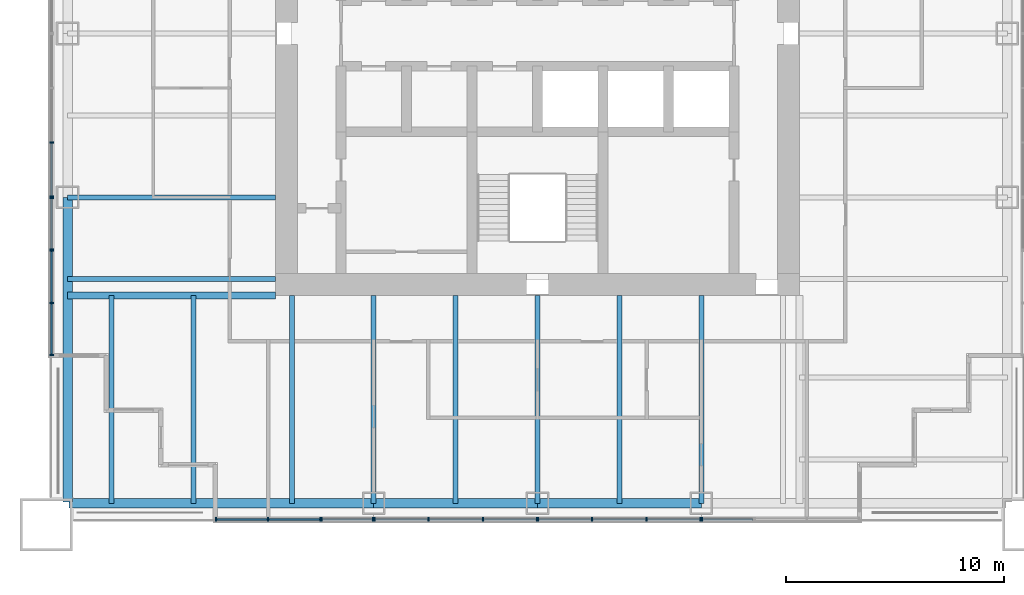
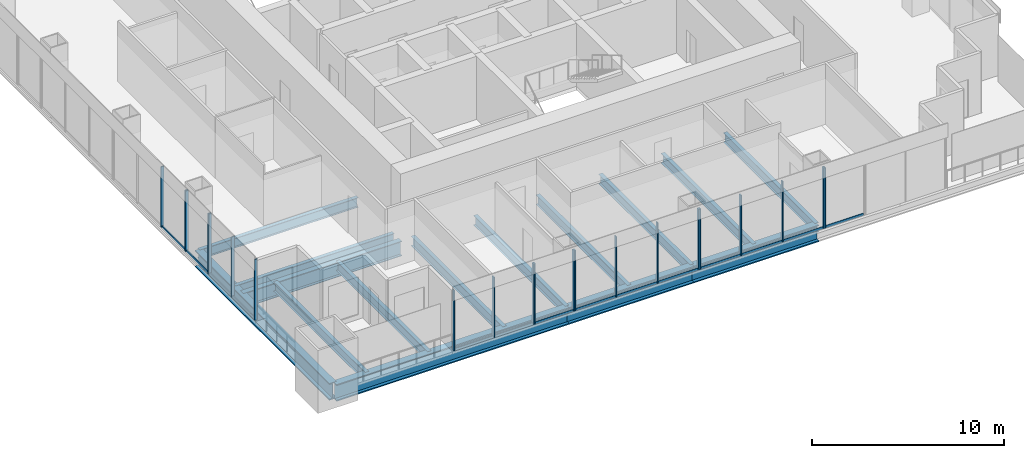
# One storey, part 2 of 13: 35 members, 15 beams, 8 elements without a shape of their own.
"""IFC4 building model written with IfcOpenShell, lengths in metres."""

import ifcopenshell
import ifcopenshell.guid

model = None  # the IFC model being written
_history = None  # IfcOwnerHistory: only IFC2X3 demands one
_inside = {}  # id of a spatial element -> (the spatial element, [elements in it])
_under = {}  # id of a project, library or spatial element -> (it, [spatial elements below it])
_declared = {}  # id of a project -> (the project, [libraries it declares])
_typed = {}  # id of a type object -> (the type object, [elements of that type])
_made_of = {}  # id of a material, layer set ... -> (it, [elements and type objects made of it])


def new_model(schema):
    """Start an empty IFC model of exactly this schema.

    Asked for "IFC4X3", IfcOpenShell would pick the latest addendum, in which some entities
    have other attributes; the version numbers below select the first issue.
    IFC2X3 requires an IfcOwnerHistory on every rooted entity: one is made here for all.
    """
    global model, _history
    if schema == "IFC4X3":
        model = ifcopenshell.file(schema_version=(4, 3, 0, 0))
    else:
        model = ifcopenshell.file(schema=schema)
    _inside.clear()
    _under.clear()
    _declared.clear()
    _typed.clear()
    _made_of.clear()
    _history = None
    if model.schema == "IFC2X3":
        org = make("IfcOrganization", Name="unknown")
        user = make(
            "IfcPersonAndOrganization",
            ThePerson=make("IfcPerson", FamilyName="unknown"),
            TheOrganization=org,
        )
        app = make(
            "IfcApplication",
            ApplicationDeveloper=org,
            Version="unknown",
            ApplicationFullName="unknown",
            ApplicationIdentifier="unknown",
        )
        _history = make(
            "IfcOwnerHistory",
            OwningUser=user,
            OwningApplication=app,
            ChangeAction="ADDED",
            CreationDate=0,
        )
    return model


def make(cls, **values):
    """One entity of the class cls with the attributes given. An attribute that is None is left unset."""
    return model.create_entity(
        cls, **{name: value for name, value in values.items() if value is not None}
    )


def rooted(cls, **values):
    """An entity with a GlobalId (a new one), such as an element, a storey or a relation."""
    return make(cls, GlobalId=ifcopenshell.guid.new(), OwnerHistory=_history, **values)


def si_unit(unit_type, name, prefix=None):
    """IfcSIUnit, for example si_unit("LENGTHUNIT", "METRE", prefix="MILLI")."""
    return make("IfcSIUnit", UnitType=unit_type, Prefix=prefix, Name=name)


def assignment(units):
    """IfcUnitAssignment: the units of a project."""
    return None if units is None else make("IfcUnitAssignment", Units=units)


def point(xyz):
    """IfcCartesianPoint."""
    return None if xyz is None else make("IfcCartesianPoint", Coordinates=xyz)


def direction(xyz):
    """IfcDirection."""
    return None if xyz is None else make("IfcDirection", DirectionRatios=xyz)


def frame(location, z_axis=None, x_axis=None):
    """IfcAxis2Placement3D, a coordinate frame: its origin and axes. An axis left out is left unset."""
    return make(
        "IfcAxis2Placement3D",
        Location=point(location),
        Axis=direction(z_axis),
        RefDirection=direction(x_axis),
    )


def frame_2d(location, x_axis=None):
    """IfcAxis2Placement2D, a coordinate frame in the plane: its origin and x axis."""
    return make(
        "IfcAxis2Placement2D", Location=point(location), RefDirection=direction(x_axis)
    )


def origin():
    """The frame at (0, 0, 0) with its axes left unset."""
    return frame((0.0, 0.0, 0.0))


def origin_2d():
    """The frame at (0, 0) in the plane with its x axis left unset."""
    return frame_2d((0.0, 0.0))


def place(relative_to, where):
    """IfcLocalPlacement: puts the frame where relative to a parent placement (None: the world)."""
    return make(
        "IfcLocalPlacement", PlacementRelTo=relative_to, RelativePlacement=where
    )


def context(
    kind, dimensions, precision=None, world=None, true_north=None, identifier=None
):
    """IfcGeometricRepresentationContext, for example the 3D "Model" context."""
    return make(
        "IfcGeometricRepresentationContext",
        ContextIdentifier=identifier,
        ContextType=kind,
        CoordinateSpaceDimension=dimensions,
        Precision=precision,
        WorldCoordinateSystem=world,
        TrueNorth=true_north,
    )


def subcontext(parent, identifier, kind, view, scale=None):
    """IfcGeometricRepresentationSubContext, for example "Body" below "Model"."""
    return make(
        "IfcGeometricRepresentationSubContext",
        ContextIdentifier=identifier,
        ContextType=kind,
        ParentContext=parent,
        TargetScale=scale,
        TargetView=view,
    )


def project(units=None, contexts=None):
    """IfcProject with its units and contexts."""
    return rooted(
        "IfcProject",
        Name="project",
        RepresentationContexts=contexts,
        UnitsInContext=assignment(units),
    )


def spatial(cls, under=None, at=None, **own):
    """A site, building, storey or space (cls), placed at a placement, below another one or the project."""
    s = rooted(cls, ObjectPlacement=at, **own)
    if under is not None:
        _under.setdefault(under.id(), (under, []))[1].append(s)
    return s


def profile(cls, at=None, kind="AREA", **sizes):
    """A parametric profile (cls). Its sizes go by their IFC names, for example OverallWidth=200.0."""
    return make(cls, ProfileType=kind, Position=at, **sizes)


def rectangle(**sizes):
    """IfcRectangleProfileDef."""
    return profile("IfcRectangleProfileDef", **sizes)


def i_section(**sizes):
    """IfcIShapeProfileDef."""
    return profile("IfcIShapeProfileDef", **sizes)


def extrude(swept, where, along, depth):
    """IfcExtrudedAreaSolid: the profile swept, set in the frame where, extruded along a direction by depth."""
    return make(
        "IfcExtrudedAreaSolid",
        SweptArea=swept,
        Position=where,
        ExtrudedDirection=direction(along),
        Depth=depth,
    )


def shape(context_of_items, identifier, shape_type, items):
    """IfcShapeRepresentation: the items that make up one representation, for example the "Body"."""
    return make(
        "IfcShapeRepresentation",
        ContextOfItems=context_of_items,
        RepresentationIdentifier=identifier,
        RepresentationType=shape_type,
        Items=items,
    )


def material(Name=None, Category=None):
    """IfcMaterial."""
    return make("IfcMaterial", Name=Name, Category=Category)


def material_profile(
    of_material, cross_section, Name=None, Category=None, Priority=None
):
    """IfcMaterialProfile: a cross section and its material."""
    return make(
        "IfcMaterialProfile",
        Name=Name,
        Material=of_material,
        Profile=cross_section,
        Priority=Priority,
        Category=Category,
    )


def profile_set(profiles, Name=None, composite=None):
    """IfcMaterialProfileSet."""
    return make(
        "IfcMaterialProfileSet",
        Name=Name,
        MaterialProfiles=profiles,
        CompositeProfile=composite,
    )


def made_of(thing, what):
    """Note that an element or type object is made of a material, layer set ...; save() writes the relation."""
    if what is not None:
        _made_of.setdefault(what.id(), (what, []))[1].append(thing)
    return thing


def type_object(cls, material=None, **own):
    """A type object (cls), such as IfcWallType, which elements share."""
    return made_of(rooted(cls, **own), material)


def element(
    cls,
    number,
    at=None,
    inside=None,
    cuts=None,
    type_object=None,
    material=None,
    context=None,
    identifier="Body",
    shape_type=None,
    held_by="IfcProductDefinitionShape",
    body=None,
    shapes=None,
    **own,
):
    """One element of the class cls, such as IfcWall. Its Tag is "e" and its number.

    at: its placement. inside: the storey or other place that contains it. cuts: it is an
    opening in that element (IfcRelVoidsElement). A single representation is given by context,
    identifier, shape_type and body (its items); several are given by shapes. held_by: the class
    of the entity that holds the representations. save() writes the other relations.
    """
    e = rooted(cls, Tag="e%d" % number, ObjectPlacement=at, **own)
    if body is not None:
        shapes = [shape(context, identifier, shape_type, body)]
    if shapes is not None:
        e.Representation = make(held_by, Representations=shapes)
    if inside is not None:
        _inside.setdefault(inside.id(), (inside, []))[1].append(e)
    if cuts is not None:
        rooted(
            "IfcRelVoidsElement", RelatingBuildingElement=cuts, RelatedOpeningElement=e
        )
    if type_object is not None:
        _typed.setdefault(type_object.id(), (type_object, []))[1].append(e)
    return made_of(e, material)


def aggregate(whole, parts):
    """IfcRelAggregates: a whole, such as a stair, and the parts it consists of."""
    return rooted("IfcRelAggregates", RelatingObject=whole, RelatedObjects=parts)


def save(model, path):
    """Write the relations noted so far, then the file.

    IfcRelAggregates (storeys below a building ...), IfcRelContainedInSpatialStructure (elements
    in a storey), IfcRelDefinesByType, IfcRelAssociatesMaterial and IfcRelDeclares: one each for
    every whole, place, type object, material and project.
    """
    for whole, parts in _under.values():
        aggregate(whole, parts)
    for where, things in _inside.values():
        rooted(
            "IfcRelContainedInSpatialStructure",
            RelatedElements=things,
            RelatingStructure=where,
        )
    for kind, things in _typed.values():
        rooted("IfcRelDefinesByType", RelatedObjects=things, RelatingType=kind)
    for what, things in _made_of.values():
        rooted("IfcRelAssociatesMaterial", RelatedObjects=things, RelatingMaterial=what)
    for by, libraries in _declared.values():
        rooted("IfcRelDeclares", RelatingContext=by, RelatedDefinitions=libraries)
    model.write(path)


model = new_model("IFC4")

# Units and contexts
model_context = context("Model", 3, precision=1e-05, world=origin(), true_north=direction((0.0, 1.0)))
body_context = subcontext(model_context, "Body", "Model", "MODEL_VIEW")
ifc_project = project(units=[si_unit("LENGTHUNIT", "METRE"), si_unit("AREAUNIT", "SQUARE_METRE"), si_unit("VOLUMEUNIT", "CUBIC_METRE"), si_unit("PLANEANGLEUNIT", "RADIAN"), si_unit("MASSUNIT", "GRAM", prefix="KILO")], contexts=[model_context])

# Site, building, storey
site_placement = place(None, origin())
site = spatial("IfcSite", under=ifc_project, at=site_placement, CompositionType="ELEMENT")
building_placement = place(site_placement, origin())
building = spatial("IfcBuilding", under=site, at=building_placement, Name="Tarangal Relay Tower", CompositionType="ELEMENT")
storey_placement = place(building_placement, frame((0.0, 0.0, 205.89990234375)))
storey = spatial("IfcBuildingStorey", under=building, at=storey_placement, Name="L43", CompositionType="ELEMENT", Elevation=205.89990234375)

# Beams
ifc_material_1 = material(Name="Steel ASTM A992", Category="steel")
ifc_material_profile_1 = material_profile(ifc_material_1, i_section(OverallWidth=0.227783203125, OverallDepth=0.60205078125, WebThickness=0.010498046875, FlangeThickness=0.014892578125, at=origin_2d()), Name="W24X68")
ifc_profile_set_1 = profile_set([ifc_material_profile_1], Name="Steel ASTM A992")
beam_type_1 = type_object("IfcBeamType", Name="Corner beam W24X68", PredefinedType="JOIST", material=ifc_profile_set_1)
for number, where, z_axis, x_axis, name in (
    (1, (-15.75, -12.0, -0.450927734375), (0.0, -1.0, 0.0), (1.0, 0.0, 0.0), "Corner beam CB11 S L43"),
    (2, (-19.5, -12.0, -0.450927734375), (0.0, -1.0, 0.0), (1.0, 0.0, 0.0), "Corner beam CB11 S L43"),
):
    element("IfcBeam", number, at=place(storey_placement, frame(where, z_axis=z_axis, x_axis=x_axis)), inside=storey, type_object=beam_type_1, Name=name, PredefinedType="JOIST", context=body_context, shape_type="SweptSolid", body=[
        extrude(i_section(OverallWidth=0.227783203125, OverallDepth=0.60205078125, WebThickness=0.010498046875, FlangeThickness=0.014892578125, at=origin_2d()), origin(), (0.0, 0.0, 1.0), 9.514892578125),
    ])
ifc_material_profile_2 = material_profile(ifc_material_1, i_section(OverallWidth=0.307373046875, OverallDepth=0.9423828125, WebThickness=0.022216796875, FlangeThickness=0.039794921875, at=origin_2d()), Name="W36X232")
ifc_profile_set_2 = profile_set([ifc_material_profile_2], Name="Steel ASTM A992")
beam_type_2 = type_object("IfcBeamType", Name="Corner girder W36X232", PredefinedType="BEAM", material=ifc_profile_set_2)
beam_placement = place(storey_placement, frame((-12.0, -12.0, -0.62109375), z_axis=(-1.0, 0.0, 0.0), x_axis=(0.0, -1.0, 0.0)))
element("IfcBeam", 3, at=beam_placement, inside=storey, type_object=beam_type_2, Name="Corner girder CG4 S L43", PredefinedType="BEAM", context=body_context, shape_type="SweptSolid", body=[
    extrude(i_section(OverallWidth=0.307373046875, OverallDepth=0.9423828125, WebThickness=0.022216796875, FlangeThickness=0.039794921875, at=origin_2d()), origin(), (0.0, 0.0, 1.0), 9.514892578125),
])
ifc_material_profile_3 = material_profile(ifc_material_1, i_section(OverallWidth=0.41650390625, OverallDepth=1.0693359375, WebThickness=0.0390625, FlangeThickness=0.070068359375, at=origin_2d()), Name="W40X503")
ifc_profile_set_3 = profile_set([ifc_material_profile_3], Name="Steel ASTM A992")
beam_type_3 = type_object("IfcBeamType", Name="Edge girder W40X503", PredefinedType="SPANDREL", material=ifc_profile_set_3)
for number, where, z_axis, x_axis, name in (
    (4, (7.5, -21.514892578125, -0.6845703125), (-1.0, 0.0, 0.0), (0.0, -1.0, 0.0), "Edge girder EG8 S L43"),
    (5, (0.0, -21.514892578125, -0.6845703125), (-1.0, 0.0, 0.0), (0.0, -1.0, 0.0), "Edge girder EG8 S L43"),
):
    element("IfcBeam", number, at=place(storey_placement, frame(where, z_axis=z_axis, x_axis=x_axis)), inside=storey, type_object=beam_type_3, Name=name, PredefinedType="SPANDREL", context=body_context, shape_type="SweptSolid", body=[
        extrude(i_section(OverallWidth=0.41650390625, OverallDepth=1.0693359375, WebThickness=0.0390625, FlangeThickness=0.070068359375, at=origin_2d()), origin(), (0.0, 0.0, 1.0), 7.5),
    ])
for number, where, z_axis, x_axis, name in (
    (6, (-7.5, -21.514892578125, -0.6845703125), (-1.0, 0.0, 0.0), (0.0, -1.0, 0.0), "Edge girder EG8 S L43"),
    (7, (-21.514892578125, -21.449951171875, -0.6845703125), (0.0, 1.0, 0.0), (-1.0, 0.0, 0.0), "Edge girder EG8 W L43"),
):
    element("IfcBeam", number, at=place(storey_placement, frame(where, z_axis=z_axis, x_axis=x_axis)), inside=storey, type_object=beam_type_3, Name=name, PredefinedType="SPANDREL", context=body_context, shape_type="SweptSolid", body=[
        extrude(i_section(OverallWidth=0.41650390625, OverallDepth=1.0693359375, WebThickness=0.0390625, FlangeThickness=0.070068359375, at=origin_2d()), origin(), (0.0, 0.0, 1.0), 13.949951171875),
    ])
ifc_material_profile_4 = material_profile(ifc_material_1, i_section(OverallWidth=0.22900390625, OverallDepth=0.612060546875, WebThickness=0.011962890625, FlangeThickness=0.01953125, at=origin_2d()), Name="W24X84")
ifc_profile_set_4 = profile_set([ifc_material_profile_4], Name="Steel ASTM A992")
beam_type_4 = type_object("IfcBeamType", Name="Floor beam W24X84", PredefinedType="BEAM", material=ifc_profile_set_4)
for number, where, z_axis, x_axis, name in (
    (8, (7.5, -12.0, -0.455810546875), (0.0, -1.0, 0.0), (1.0, 0.0, 0.0), "Floor beam RB12 S L43"),
    (9, (3.75, -12.0, -0.455810546875), (0.0, -1.0, 0.0), (1.0, 0.0, 0.0), "Floor beam RB12 S L43"),
    (10, (0.0, -12.0, -0.455810546875), (0.0, -1.0, 0.0), (1.0, 0.0, 0.0), "Floor beam RB12 S L43"),
    (11, (-3.75, -12.0, -0.455810546875), (0.0, -1.0, 0.0), (1.0, 0.0, 0.0), "Floor beam RB12 S L43"),
    (12, (-7.5, -12.0, -0.455810546875), (0.0, -1.0, 0.0), (1.0, 0.0, 0.0), "Floor beam RB12 S L43"),
    (13, (-11.25, -12.0, -0.455810546875), (0.0, -1.0, 0.0), (1.0, 0.0, 0.0), "Floor beam RB12 S L43"),
    (14, (-12.0, -11.25, -0.455810546875), (-1.0, 0.0, 0.0), (0.0, -1.0, 0.0), "Floor beam RB12 W L43"),
    (15, (-12.0, -7.5, -0.455810546875), (-1.0, 0.0, 0.0), (0.0, -1.0, 0.0), "Floor beam RB12 W L43"),
):
    element("IfcBeam", number, at=place(storey_placement, frame(where, z_axis=z_axis, x_axis=x_axis)), inside=storey, type_object=beam_type_4, Name=name, PredefinedType="BEAM", context=body_context, shape_type="SweptSolid", body=[
        extrude(i_section(OverallWidth=0.22900390625, OverallDepth=0.612060546875, WebThickness=0.011962890625, FlangeThickness=0.01953125, at=origin_2d()), origin(), (0.0, 0.0, 1.0), 9.514892578125),
    ])

# Curtain wall, member
ifc_material_2 = material(Name="Unitised curtain wall, dark glass and black aluminium", Category="aluminium")
curtain_wall_type_1 = type_object("IfcCurtainWallType", Name="Curtain wall CW-A", PredefinedType="USERDEFINED", material=ifc_material_2)
curtain_wall_1_placement = place(storey_placement, origin())
curtain_wall_1 = element("IfcCurtainWall", 16, at=curtain_wall_1_placement, inside=storey, type_object=curtain_wall_type_1, Name="Curtain wall CW-A S facade L43", ObjectType="UNITISED CURTAIN WALL", PredefinedType="USERDEFINED")
ifc_material_3 = material(Name="Black anodised aluminium mullion", Category="aluminium")
ifc_material_profile_5 = material_profile(ifc_material_3, rectangle(XDim=0.175048828125, YDim=0.06494140625, at=origin_2d()), Name="CW-AM 65X175")
ifc_profile_set_5 = profile_set([ifc_material_profile_5], Name="Black anodised aluminium mullion")
member_type_1 = type_object("IfcMemberType", Name="Mullion CW-A 65 x 175", PredefinedType="MULLION", material=ifc_profile_set_5)
member_1_placement = place(storey_placement, frame((7.532470703125, -22.25, 0.0), z_axis=(0.0, 0.0, 1.0), x_axis=(0.0, -1.0, 0.0)))
member_1 = element("IfcMember", 17, at=member_1_placement, type_object=member_type_1, Name="CW-A mullion 2", PredefinedType="MULLION", context=body_context, shape_type="SweptSolid", body=[
    extrude(rectangle(XDim=0.175048828125, YDim=0.06494140625, at=origin_2d()), origin(), (0.0, 0.0, 1.0), 3.85009765625),
])

# Curtain wall, members
curtain_wall_2_placement = place(storey_placement, origin())
curtain_wall_2 = element("IfcCurtainWall", 18, at=curtain_wall_2_placement, inside=storey, type_object=curtain_wall_type_1, Name="Curtain wall CW-A S facade L43", ObjectType="UNITISED CURTAIN WALL", PredefinedType="USERDEFINED")
member_2_placement = place(storey_placement, frame((7.467529296875, -22.25, 0.0), z_axis=(0.0, 0.0, 1.0), x_axis=(0.0, -1.0, 0.0)))
member_2 = element("IfcMember", 19, at=member_2_placement, type_object=member_type_1, Name="CW-A mullion 1", PredefinedType="MULLION", context=body_context, shape_type="SweptSolid", body=[
    extrude(rectangle(XDim=0.175048828125, YDim=0.06494140625, at=origin_2d()), origin(), (0.0, 0.0, 1.0), 3.85009765625),
])
member_3_placement = place(storey_placement, frame((5.0, -22.25, 0.0), z_axis=(0.0, 0.0, 1.0), x_axis=(0.0, -1.0, 0.0)))
member_3 = element("IfcMember", 20, at=member_3_placement, type_object=member_type_1, Name="CW-A mullion 2", PredefinedType="MULLION", context=body_context, shape_type="SweptSolid", body=[
    extrude(rectangle(XDim=0.175048828125, YDim=0.06494140625, at=origin_2d()), origin(), (0.0, 0.0, 1.0), 3.85009765625),
])
member_4_placement = place(storey_placement, frame((2.5, -22.25, 0.0), z_axis=(0.0, 0.0, 1.0), x_axis=(0.0, -1.0, 0.0)))
member_4 = element("IfcMember", 21, at=member_4_placement, type_object=member_type_1, Name="CW-A mullion 3", PredefinedType="MULLION", context=body_context, shape_type="SweptSolid", body=[
    extrude(rectangle(XDim=0.175048828125, YDim=0.06494140625, at=origin_2d()), origin(), (0.0, 0.0, 1.0), 3.85009765625),
])
member_5_placement = place(storey_placement, frame((0.032470703125, -22.25, 0.0), z_axis=(0.0, 0.0, 1.0), x_axis=(0.0, -1.0, 0.0)))
member_5 = element("IfcMember", 22, at=member_5_placement, type_object=member_type_1, Name="CW-A mullion 4", PredefinedType="MULLION", context=body_context, shape_type="SweptSolid", body=[
    extrude(rectangle(XDim=0.175048828125, YDim=0.06494140625, at=origin_2d()), origin(), (0.0, 0.0, 1.0), 3.85009765625),
])

curtain_wall_3_placement = place(storey_placement, origin())
curtain_wall_3 = element("IfcCurtainWall", 23, at=curtain_wall_3_placement, inside=storey, type_object=curtain_wall_type_1, Name="Curtain wall CW-A S facade L43", ObjectType="UNITISED CURTAIN WALL", PredefinedType="USERDEFINED")
member_6_placement = place(storey_placement, frame((-0.032470703125, -22.25, 0.0), z_axis=(0.0, 0.0, 1.0), x_axis=(0.0, -1.0, 0.0)))
member_6 = element("IfcMember", 24, at=member_6_placement, type_object=member_type_1, Name="CW-A mullion 1", PredefinedType="MULLION", context=body_context, shape_type="SweptSolid", body=[
    extrude(rectangle(XDim=0.175048828125, YDim=0.06494140625, at=origin_2d()), origin(), (0.0, 0.0, 1.0), 3.85009765625),
])
member_7_placement = place(storey_placement, frame((-2.5, -22.25, 0.0), z_axis=(0.0, 0.0, 1.0), x_axis=(0.0, -1.0, 0.0)))
member_7 = element("IfcMember", 25, at=member_7_placement, type_object=member_type_1, Name="CW-A mullion 2", PredefinedType="MULLION", context=body_context, shape_type="SweptSolid", body=[
    extrude(rectangle(XDim=0.175048828125, YDim=0.06494140625, at=origin_2d()), origin(), (0.0, 0.0, 1.0), 3.85009765625),
])
member_8_placement = place(storey_placement, frame((-5.0, -22.25, 0.0), z_axis=(0.0, 0.0, 1.0), x_axis=(0.0, -1.0, 0.0)))
member_8 = element("IfcMember", 26, at=member_8_placement, type_object=member_type_1, Name="CW-A mullion 3", PredefinedType="MULLION", context=body_context, shape_type="SweptSolid", body=[
    extrude(rectangle(XDim=0.175048828125, YDim=0.06494140625, at=origin_2d()), origin(), (0.0, 0.0, 1.0), 3.85009765625),
])
member_9_placement = place(storey_placement, frame((-7.467529296875, -22.25, 0.0), z_axis=(0.0, 0.0, 1.0), x_axis=(0.0, -1.0, 0.0)))
member_9 = element("IfcMember", 27, at=member_9_placement, type_object=member_type_1, Name="CW-A mullion 4", PredefinedType="MULLION", context=body_context, shape_type="SweptSolid", body=[
    extrude(rectangle(XDim=0.175048828125, YDim=0.06494140625, at=origin_2d()), origin(), (0.0, 0.0, 1.0), 3.85009765625),
])

curtain_wall_4_placement = place(storey_placement, origin())
curtain_wall_4 = element("IfcCurtainWall", 28, at=curtain_wall_4_placement, inside=storey, type_object=curtain_wall_type_1, Name="Curtain wall CW-A S facade L43", ObjectType="UNITISED CURTAIN WALL", PredefinedType="USERDEFINED")
member_10_placement = place(storey_placement, frame((-7.532470703125, -22.25, 0.0), z_axis=(0.0, 0.0, 1.0), x_axis=(0.0, -1.0, 0.0)))
member_10 = element("IfcMember", 29, at=member_10_placement, type_object=member_type_1, Name="CW-A mullion 1", PredefinedType="MULLION", context=body_context, shape_type="SweptSolid", body=[
    extrude(rectangle(XDim=0.175048828125, YDim=0.06494140625, at=origin_2d()), origin(), (0.0, 0.0, 1.0), 3.85009765625),
])
member_11_placement = place(storey_placement, frame((-9.88427734375, -22.25, 0.0), z_axis=(0.0, 0.0, 1.0), x_axis=(0.0, -1.0, 0.0)))
member_11 = element("IfcMember", 30, at=member_11_placement, type_object=member_type_1, Name="CW-A mullion 2", PredefinedType="MULLION", context=body_context, shape_type="SweptSolid", body=[
    extrude(rectangle(XDim=0.175048828125, YDim=0.06494140625, at=origin_2d()), origin(), (0.0, 0.0, 1.0), 3.85009765625),
])

curtain_wall_5_placement = place(storey_placement, origin())
curtain_wall_5 = element("IfcCurtainWall", 31, at=curtain_wall_5_placement, inside=storey, type_object=curtain_wall_type_1, Name="Curtain wall CW-A W facade L43", ObjectType="UNITISED CURTAIN WALL", PredefinedType="USERDEFINED")
member_12_placement = place(storey_placement, frame((-22.25, -9.88427734375, 0.0), z_axis=(0.0, 0.0, 1.0), x_axis=(-1.0, 0.0, 0.0)))
member_12 = element("IfcMember", 32, at=member_12_placement, type_object=member_type_1, Name="CW-A mullion 1", PredefinedType="MULLION", context=body_context, shape_type="SweptSolid", body=[
    extrude(rectangle(XDim=0.175048828125, YDim=0.06494140625, at=origin_2d()), origin(), (0.0, 0.0, 1.0), 3.85009765625),
])
member_13_placement = place(storey_placement, frame((-22.25, -7.532470703125, 0.0), z_axis=(0.0, 0.0, 1.0), x_axis=(-1.0, 0.0, 0.0)))
member_13 = element("IfcMember", 33, at=member_13_placement, type_object=member_type_1, Name="CW-A mullion 2", PredefinedType="MULLION", context=body_context, shape_type="SweptSolid", body=[
    extrude(rectangle(XDim=0.175048828125, YDim=0.06494140625, at=origin_2d()), origin(), (0.0, 0.0, 1.0), 3.85009765625),
])

curtain_wall_6_placement = place(storey_placement, origin())
curtain_wall_6 = element("IfcCurtainWall", 34, at=curtain_wall_6_placement, inside=storey, type_object=curtain_wall_type_1, Name="Curtain wall CW-A W facade L43", ObjectType="UNITISED CURTAIN WALL", PredefinedType="USERDEFINED")
member_14_placement = place(storey_placement, frame((-22.25, -7.467529296875, 0.0), z_axis=(0.0, 0.0, 1.0), x_axis=(-1.0, 0.0, 0.0)))
member_14 = element("IfcMember", 35, at=member_14_placement, type_object=member_type_1, Name="CW-A mullion 1", PredefinedType="MULLION", context=body_context, shape_type="SweptSolid", body=[
    extrude(rectangle(XDim=0.175048828125, YDim=0.06494140625, at=origin_2d()), origin(), (0.0, 0.0, 1.0), 3.85009765625),
])
member_15_placement = place(storey_placement, frame((-22.25, -5.0, 0.0), z_axis=(0.0, 0.0, 1.0), x_axis=(-1.0, 0.0, 0.0)))
member_15 = element("IfcMember", 36, at=member_15_placement, type_object=member_type_1, Name="CW-A mullion 2", PredefinedType="MULLION", context=body_context, shape_type="SweptSolid", body=[
    extrude(rectangle(XDim=0.175048828125, YDim=0.06494140625, at=origin_2d()), origin(), (0.0, 0.0, 1.0), 3.85009765625),
])

ifc_material_4 = material(Name="Unitised curtain wall frame, black aluminium, with metal clad infill walls", Category="aluminium")
curtain_wall_type_2 = type_object("IfcCurtainWallType", Name="Curtain wall CW-AO", PredefinedType="USERDEFINED", material=ifc_material_4)
curtain_wall_7_placement = place(storey_placement, origin())
curtain_wall_7 = element("IfcCurtainWall", 37, at=curtain_wall_7_placement, inside=storey, type_object=curtain_wall_type_2, Name="Curtain wall CW-AO S facade L43", ObjectType="UNITISED CURTAIN WALL", PredefinedType="USERDEFINED")
ifc_material_profile_6 = material_profile(ifc_material_3, rectangle(XDim=0.175048828125, YDim=0.06494140625, at=origin_2d()), Name="CW-AOM 65X175")
ifc_profile_set_6 = profile_set([ifc_material_profile_6], Name="Black anodised aluminium mullion")
member_type_2 = type_object("IfcMemberType", Name="Mullion CW-AO 65 x 175", PredefinedType="MULLION", material=ifc_profile_set_6)
member_16_placement = place(storey_placement, frame((-9.94921875, -22.25, 0.0), z_axis=(0.0, 0.0, 1.0), x_axis=(0.0, -1.0, 0.0)))
member_16 = element("IfcMember", 38, at=member_16_placement, type_object=member_type_2, Name="CW-AO mullion 1", PredefinedType="MULLION", context=body_context, shape_type="SweptSolid", body=[
    extrude(rectangle(XDim=0.175048828125, YDim=0.06494140625, at=origin_2d()), origin(), (0.0, 0.0, 1.0), 3.85009765625),
])
member_17_placement = place(storey_placement, frame((-12.333251953125, -22.25, 0.0), z_axis=(0.0, 0.0, 1.0), x_axis=(0.0, -1.0, 0.0)))
member_17 = element("IfcMember", 39, at=member_17_placement, type_object=member_type_2, Name="CW-AO mullion 2", PredefinedType="MULLION", context=body_context, shape_type="SweptSolid", body=[
    extrude(rectangle(XDim=0.175048828125, YDim=0.06494140625, at=origin_2d()), origin(), (0.0, 0.0, 1.0), 3.85009765625),
])
member_18_placement = place(storey_placement, frame((-14.717529296875, -22.25, 0.0), z_axis=(0.0, 0.0, 1.0), x_axis=(0.0, -1.0, 0.0)))
member_18 = element("IfcMember", 40, at=member_18_placement, type_object=member_type_2, Name="CW-AO mullion 3", PredefinedType="MULLION", context=body_context, shape_type="SweptSolid", body=[
    extrude(rectangle(XDim=0.175048828125, YDim=0.06494140625, at=origin_2d()), origin(), (0.0, 0.0, 1.0), 3.85009765625),
])

curtain_wall_8_placement = place(storey_placement, origin())
curtain_wall_8 = element("IfcCurtainWall", 41, at=curtain_wall_8_placement, inside=storey, type_object=curtain_wall_type_2, Name="Curtain wall CW-AO W facade L43", ObjectType="UNITISED CURTAIN WALL", PredefinedType="USERDEFINED")
member_19_placement = place(storey_placement, frame((-22.25, -14.717529296875, 0.0), z_axis=(0.0, 0.0, 1.0), x_axis=(-1.0, 0.0, 0.0)))
member_19 = element("IfcMember", 42, at=member_19_placement, type_object=member_type_2, Name="CW-AO mullion 1", PredefinedType="MULLION", context=body_context, shape_type="SweptSolid", body=[
    extrude(rectangle(XDim=0.175048828125, YDim=0.06494140625, at=origin_2d()), origin(), (0.0, 0.0, 1.0), 3.85009765625),
])
member_20_placement = place(storey_placement, frame((-22.25, -12.333251953125, 0.0), z_axis=(0.0, 0.0, 1.0), x_axis=(-1.0, 0.0, 0.0)))
member_20 = element("IfcMember", 43, at=member_20_placement, type_object=member_type_2, Name="CW-AO mullion 2", PredefinedType="MULLION", context=body_context, shape_type="SweptSolid", body=[
    extrude(rectangle(XDim=0.175048828125, YDim=0.06494140625, at=origin_2d()), origin(), (0.0, 0.0, 1.0), 3.85009765625),
])
member_21_placement = place(storey_placement, frame((-22.25, -9.94921875, 0.0), z_axis=(0.0, 0.0, 1.0), x_axis=(-1.0, 0.0, 0.0)))
member_21 = element("IfcMember", 44, at=member_21_placement, type_object=member_type_2, Name="CW-AO mullion 3", PredefinedType="MULLION", context=body_context, shape_type="SweptSolid", body=[
    extrude(rectangle(XDim=0.175048828125, YDim=0.06494140625, at=origin_2d()), origin(), (0.0, 0.0, 1.0), 3.85009765625),
])

# Member
ifc_material_5 = material(Name="Black anodised aluminium transom", Category="aluminium")
ifc_material_profile_7 = material_profile(ifc_material_5, rectangle(XDim=0.06494140625, YDim=0.14990234375, at=origin_2d()), Name="CW-AT 65X150")
ifc_profile_set_7 = profile_set([ifc_material_profile_7], Name="Black anodised aluminium transom")
member_type_3 = type_object("IfcMemberType", Name="Transom CW-A 65 x 150", PredefinedType="USERDEFINED", material=ifc_profile_set_7)
member_22_placement = place(storey_placement, frame((9.851806640625, -22.25, 0.03271484375), z_axis=(-1.0, 0.0, 0.0), x_axis=(0.0, -1.0, 0.0)))
member_22 = element("IfcMember", 45, at=member_22_placement, type_object=member_type_3, Name="CW-A transom 1.1", ObjectType="TRANSOM", PredefinedType="USERDEFINED", context=body_context, shape_type="SweptSolid", body=[
    extrude(rectangle(XDim=0.06494140625, YDim=0.14990234375, at=origin_2d()), origin(), (0.0, 0.0, 1.0), 2.286865234375),
])

aggregate(curtain_wall_1, [member_1, member_22])

member_23_placement = place(storey_placement, frame((7.43505859375, -22.25, 0.03271484375), z_axis=(-1.0, 0.0, 0.0), x_axis=(0.0, -1.0, 0.0)))
member_23 = element("IfcMember", 46, at=member_23_placement, type_object=member_type_3, Name="CW-A transom 1.1", ObjectType="TRANSOM", PredefinedType="USERDEFINED", context=body_context, shape_type="SweptSolid", body=[
    extrude(rectangle(XDim=0.06494140625, YDim=0.14990234375, at=origin_2d()), origin(), (0.0, 0.0, 1.0), 2.402587890625),
])

member_24_placement = place(storey_placement, frame((4.967529296875, -22.25, 0.03271484375), z_axis=(-1.0, 0.0, 0.0), x_axis=(0.0, -1.0, 0.0)))
member_24 = element("IfcMember", 47, at=member_24_placement, type_object=member_type_3, Name="CW-A transom 2.1", ObjectType="TRANSOM", PredefinedType="USERDEFINED", context=body_context, shape_type="SweptSolid", body=[
    extrude(rectangle(XDim=0.06494140625, YDim=0.14990234375, at=origin_2d()), origin(), (0.0, 0.0, 1.0), 2.43505859375),
])

member_25_placement = place(storey_placement, frame((2.467529296875, -22.25, 0.03271484375), z_axis=(-1.0, 0.0, 0.0), x_axis=(0.0, -1.0, 0.0)))
member_25 = element("IfcMember", 48, at=member_25_placement, type_object=member_type_3, Name="CW-A transom 3.1", ObjectType="TRANSOM", PredefinedType="USERDEFINED", context=body_context, shape_type="SweptSolid", body=[
    extrude(rectangle(XDim=0.06494140625, YDim=0.14990234375, at=origin_2d()), origin(), (0.0, 0.0, 1.0), 2.402587890625),
])

aggregate(curtain_wall_2, [member_2, member_3, member_4, member_5, member_23, member_24, member_25])

member_26_placement = place(storey_placement, frame((-0.06494140625, -22.25, 0.03271484375), z_axis=(-1.0, 0.0, 0.0), x_axis=(0.0, -1.0, 0.0)))
member_26 = element("IfcMember", 49, at=member_26_placement, type_object=member_type_3, Name="CW-A transom 1.1", ObjectType="TRANSOM", PredefinedType="USERDEFINED", context=body_context, shape_type="SweptSolid", body=[
    extrude(rectangle(XDim=0.06494140625, YDim=0.14990234375, at=origin_2d()), origin(), (0.0, 0.0, 1.0), 2.402587890625),
])

member_27_placement = place(storey_placement, frame((-2.532470703125, -22.25, 0.03271484375), z_axis=(-1.0, 0.0, 0.0), x_axis=(0.0, -1.0, 0.0)))
member_27 = element("IfcMember", 50, at=member_27_placement, type_object=member_type_3, Name="CW-A transom 2.1", ObjectType="TRANSOM", PredefinedType="USERDEFINED", context=body_context, shape_type="SweptSolid", body=[
    extrude(rectangle(XDim=0.06494140625, YDim=0.14990234375, at=origin_2d()), origin(), (0.0, 0.0, 1.0), 2.43505859375),
])

member_28_placement = place(storey_placement, frame((-5.032470703125, -22.25, 0.03271484375), z_axis=(-1.0, 0.0, 0.0), x_axis=(0.0, -1.0, 0.0)))
member_28 = element("IfcMember", 51, at=member_28_placement, type_object=member_type_3, Name="CW-A transom 3.1", ObjectType="TRANSOM", PredefinedType="USERDEFINED", context=body_context, shape_type="SweptSolid", body=[
    extrude(rectangle(XDim=0.06494140625, YDim=0.14990234375, at=origin_2d()), origin(), (0.0, 0.0, 1.0), 2.402587890625),
])

aggregate(curtain_wall_3, [member_6, member_7, member_8, member_9, member_26, member_27, member_28])

member_29_placement = place(storey_placement, frame((-7.56494140625, -22.25, 0.03271484375), z_axis=(-1.0, 0.0, 0.0), x_axis=(0.0, -1.0, 0.0)))
member_29 = element("IfcMember", 52, at=member_29_placement, type_object=member_type_3, Name="CW-A transom 1.1", ObjectType="TRANSOM", PredefinedType="USERDEFINED", context=body_context, shape_type="SweptSolid", body=[
    extrude(rectangle(XDim=0.06494140625, YDim=0.14990234375, at=origin_2d()), origin(), (0.0, 0.0, 1.0), 2.286865234375),
])

aggregate(curtain_wall_4, [member_10, member_11, member_29])

member_30_placement = place(storey_placement, frame((-22.25, -9.851806640625, 0.03271484375), z_axis=(0.0, 1.0, 0.0), x_axis=(-1.0, 0.0, 0.0)))
member_30 = element("IfcMember", 53, at=member_30_placement, type_object=member_type_3, Name="CW-A transom 1.1", ObjectType="TRANSOM", PredefinedType="USERDEFINED", context=body_context, shape_type="SweptSolid", body=[
    extrude(rectangle(XDim=0.06494140625, YDim=0.14990234375, at=origin_2d()), origin(), (0.0, 0.0, 1.0), 2.286865234375),
])

aggregate(curtain_wall_5, [member_12, member_13, member_30])

member_31_placement = place(storey_placement, frame((-22.25, -7.43505859375, 0.03271484375), z_axis=(0.0, 1.0, 0.0), x_axis=(-1.0, 0.0, 0.0)))
member_31 = element("IfcMember", 54, at=member_31_placement, type_object=member_type_3, Name="CW-A transom 1.1", ObjectType="TRANSOM", PredefinedType="USERDEFINED", context=body_context, shape_type="SweptSolid", body=[
    extrude(rectangle(XDim=0.06494140625, YDim=0.14990234375, at=origin_2d()), origin(), (0.0, 0.0, 1.0), 2.402587890625),
])

aggregate(curtain_wall_6, [member_14, member_15, member_31])

ifc_material_profile_8 = material_profile(ifc_material_5, rectangle(XDim=0.06494140625, YDim=0.14990234375, at=origin_2d()), Name="CW-AOT 65X150")
ifc_profile_set_8 = profile_set([ifc_material_profile_8], Name="Black anodised aluminium transom")
member_type_4 = type_object("IfcMemberType", Name="Transom CW-AO 65 x 150", PredefinedType="USERDEFINED", material=ifc_profile_set_8)
member_32_placement = place(storey_placement, frame((-9.981689453125, -22.25, 0.03271484375), z_axis=(-1.0, 0.0, 0.0), x_axis=(0.0, -1.0, 0.0)))
member_32 = element("IfcMember", 55, at=member_32_placement, type_object=member_type_4, Name="CW-AO transom 1.1", ObjectType="TRANSOM", PredefinedType="USERDEFINED", context=body_context, shape_type="SweptSolid", body=[
    extrude(rectangle(XDim=0.06494140625, YDim=0.14990234375, at=origin_2d()), origin(), (0.0, 0.0, 1.0), 2.319091796875),
])

member_33_placement = place(storey_placement, frame((-12.365966796875, -22.25, 0.03271484375), z_axis=(-1.0, 0.0, 0.0), x_axis=(0.0, -1.0, 0.0)))
member_33 = element("IfcMember", 56, at=member_33_placement, type_object=member_type_4, Name="CW-AO transom 2.1", ObjectType="TRANSOM", PredefinedType="USERDEFINED", context=body_context, shape_type="SweptSolid", body=[
    extrude(rectangle(XDim=0.06494140625, YDim=0.14990234375, at=origin_2d()), origin(), (0.0, 0.0, 1.0), 2.319091796875),
])

aggregate(curtain_wall_7, [member_16, member_17, member_18, member_32, member_33])

member_34_placement = place(storey_placement, frame((-22.25, -14.68505859375, 0.03271484375), z_axis=(0.0, 1.0, 0.0), x_axis=(-1.0, 0.0, 0.0)))
member_34 = element("IfcMember", 57, at=member_34_placement, type_object=member_type_4, Name="CW-AO transom 1.1", ObjectType="TRANSOM", PredefinedType="USERDEFINED", context=body_context, shape_type="SweptSolid", body=[
    extrude(rectangle(XDim=0.06494140625, YDim=0.14990234375, at=origin_2d()), origin(), (0.0, 0.0, 1.0), 2.319091796875),
])

member_35_placement = place(storey_placement, frame((-22.25, -12.30078125, 0.03271484375), z_axis=(0.0, 1.0, 0.0), x_axis=(-1.0, 0.0, 0.0)))
member_35 = element("IfcMember", 58, at=member_35_placement, type_object=member_type_4, Name="CW-AO transom 2.1", ObjectType="TRANSOM", PredefinedType="USERDEFINED", context=body_context, shape_type="SweptSolid", body=[
    extrude(rectangle(XDim=0.06494140625, YDim=0.14990234375, at=origin_2d()), origin(), (0.0, 0.0, 1.0), 2.319091796875),
])

aggregate(curtain_wall_8, [member_19, member_20, member_21, member_34, member_35])

save(model, "model.ifc")
